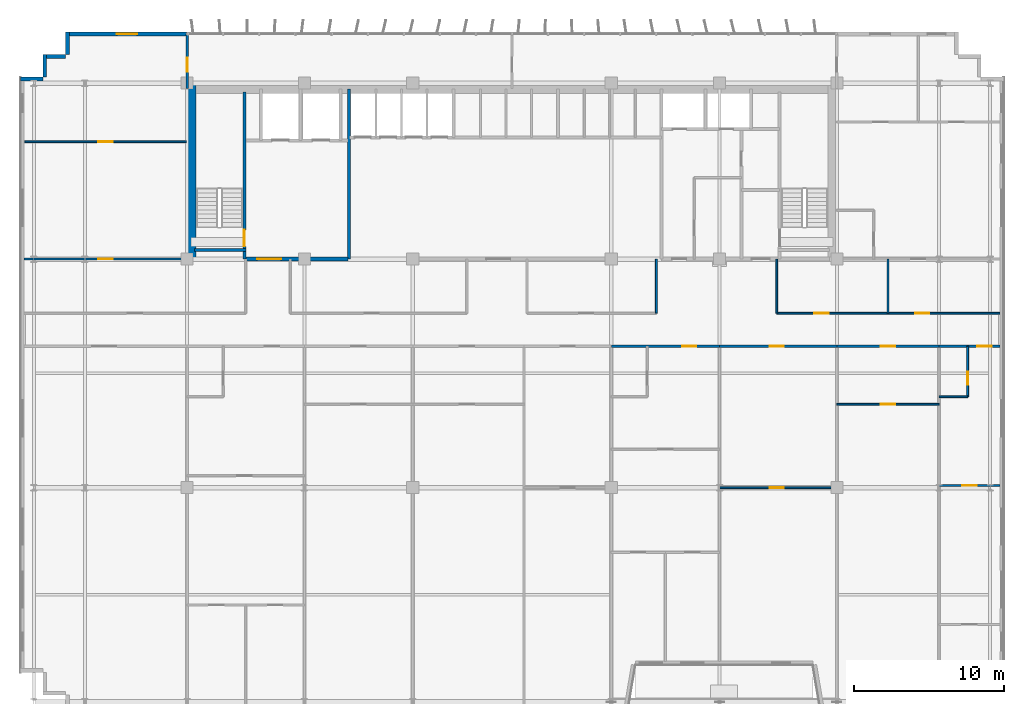
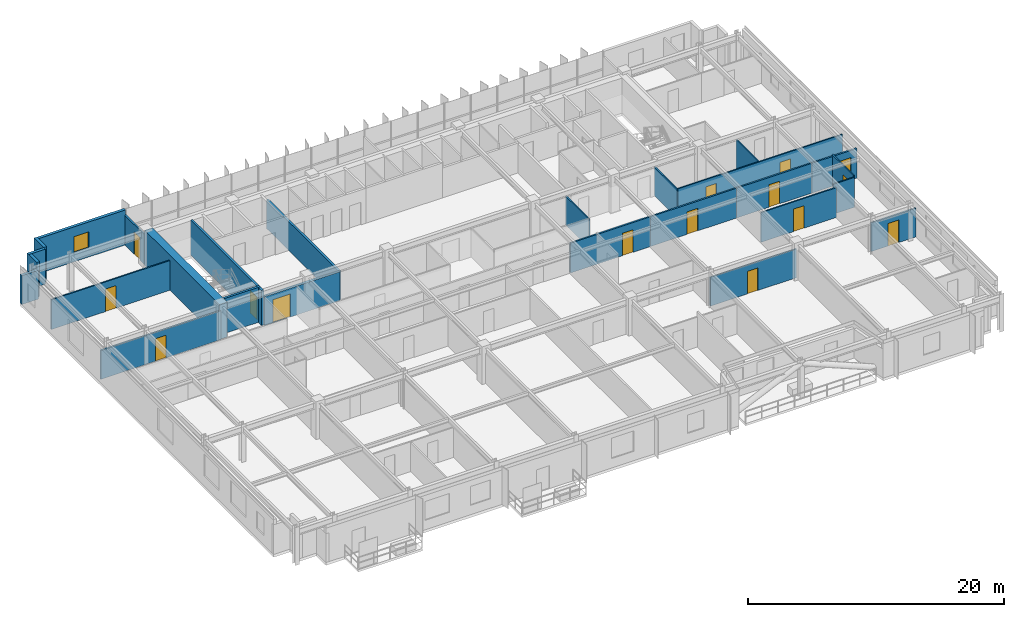
# One storey, part 17 of 22: 26 walls, 15 doors, 1 window, 16 openings.
"""IFC4 building model written with IfcOpenShell, lengths in metres."""

from ifc_helpers import new_model, si_unit, direction, frame, frame_2d, origin, place, context, subcontext, project, spatial, rectangle, extrude, source, transform, mapped, material, layer, layer_set, type_object, element, fill, save


model = new_model("IFC4")

# Units and contexts
model_context = context("Model", 3, precision=1e-05, world=origin(), true_north=direction((0.0, 1.0)))
body_context = subcontext(model_context, "Body", "Model", "MODEL_VIEW")
ifc_project = project(units=[si_unit("LENGTHUNIT", "METRE"), si_unit("AREAUNIT", "SQUARE_METRE"), si_unit("VOLUMEUNIT", "CUBIC_METRE"), si_unit("PLANEANGLEUNIT", "RADIAN"), si_unit("MASSUNIT", "GRAM", prefix="KILO")], contexts=[model_context])

# Site, building, storey
site_placement = place(None, origin())
site = spatial("IfcSite", under=ifc_project, at=site_placement, CompositionType="ELEMENT")
building_placement = place(site_placement, origin())
building = spatial("IfcBuilding", under=site, at=building_placement, Name="Trelvane Seafront Commons", CompositionType="ELEMENT")
storey_placement = place(building_placement, frame((0.0, 0.0, 121.300048828125)))
storey = spatial("IfcBuildingStorey", under=building, at=storey_placement, Name="L31", CompositionType="ELEMENT", Elevation=121.300048828125)

# Wall, opening, window
ifc_material_1 = material(Name="Precast concrete C40/50", Category="concrete")
ifc_layer_1 = layer(ifc_material_1, 0.260009765625, Name="ARCH-WALL-EXT260")
ifc_layer_set_1 = layer_set([ifc_layer_1], Name="Precast concrete C40/50")
wall_type_1 = type_object("IfcWallType", Name="ARCH-WALL-EXT260", PredefinedType="SOLIDWALL", material=ifc_layer_set_1)
wall_1_placement = place(storey_placement, frame((7.60009765625, 48.3701171875, 0.0), z_axis=(0.0, 0.0, 1.0), x_axis=(1.0, 0.0, 0.0)))
wall_1 = element("IfcWall", 1, at=wall_1_placement, inside=storey, type_object=wall_type_1, Name="EW-L31-NW-0580", PredefinedType="SOLIDWALL", context=body_context, shape_type="SweptSolid", body=[
    extrude(rectangle(XDim=8.0, YDim=0.260009765625, at=frame_2d((4.0, 0.0))), origin(), (0.0, 0.0, 1.0), 3.33984375),
])
opening_1_placement = place(wall_1_placement, frame((3.324951171875, 0.0, 0.89990234375)))
opening_1 = element("IfcOpeningElement", 2, at=opening_1_placement, cuts=wall_1, Name="Opening W09", PredefinedType="OPENING", context=body_context, shape_type="SweptSolid", body=[
    extrude(rectangle(XDim=1.35009765625, YDim=1.5, at=frame_2d((0.675048828125, 0.75))), frame((0.0, 0.139892578125, 0.0), z_axis=(0.0, -1.0, 0.0), x_axis=(1.0, 0.0, 0.0)), (0.0, 0.0, 1.0), 0.280029296875),
])
ifc_material_2 = material(Name="Low-E coastal double glazing", Category="glass")
window_type = type_object("IfcWindowType", Name="ARCH-WIN-W09", PartitioningType="SINGLE_PANEL", PredefinedType="WINDOW", material=ifc_material_2)
shared_shape_1 = source(origin(), body_context, "Body", "SweptSolid", [
    extrude(rectangle(XDim=1.35009765625, YDim=1.5, at=frame_2d((0.675048828125, 0.75))), frame((0.0, 0.030029296875, 0.0), z_axis=(0.0, -1.0, 0.0), x_axis=(1.0, 0.0, 0.0)), (0.0, 0.0, 1.0), 0.06005859375),
])
window_placement = place(opening_1_placement, origin())
window = element("IfcWindow", 3, at=window_placement, inside=storey, type_object=window_type, Name="WIN-L31-00695", OverallHeight=1.5, OverallWidth=1.35009765625, PartitioningType="SINGLE_PANEL", PredefinedType="WINDOW", context=body_context, shape_type="MappedRepresentation", body=[
    mapped(shared_shape_1, transform((0.0, 0.0, 0.0), x_axis=(1.0, 0.0, 0.0), y_axis=(0.0, 1.0, 0.0), z_axis=(0.0, 0.0, 1.0), scale=1.0)),
])
fill(opening_1, window)

# Walls
wall_2_placement = place(storey_placement, frame((4.5, 45.3701171875, 0.0), z_axis=(0.0, 0.0, 1.0), x_axis=(1.0, 0.0, 0.0)))
element("IfcWall", 4, at=wall_2_placement, inside=storey, type_object=wall_type_1, Name="EW-L31-00586", PredefinedType="SOLIDWALL", context=body_context, shape_type="SweptSolid", body=[
    extrude(rectangle(XDim=1.5, YDim=0.260009765625, at=frame_2d((0.75, 0.0))), origin(), (0.0, 0.0, 1.0), 2.751953125),
])
for number, where, z_axis, x_axis, name in (
    (5, (6.1298828125, 45.5, 0.0), (0.0, 0.0, 1.0), (0.0, 1.0, 0.0), "EW-L31-00587"),
    (6, (6.0, 46.8701171875, 0.0), (0.0, 0.0, 1.0), (1.0, 0.0, 0.0), "EW-L31-00588"),
    (7, (7.6298828125, 47.0, 0.0), (0.0, 0.0, 1.0), (0.0, 1.0, 0.0), "EW-L31-00589"),
):
    element("IfcWall", number, at=place(storey_placement, frame(where, z_axis=z_axis, x_axis=x_axis)), inside=storey, type_object=wall_type_1, Name=name, PredefinedType="SOLIDWALL", context=body_context, shape_type="SweptSolid", body=[
        extrude(rectangle(XDim=1.5, YDim=0.260009765625, at=frame_2d((0.75, 0.0))), origin(), (0.0, 0.0, 1.0), 3.33984375),
    ])

# Wall, opening, door
ifc_material_3 = material(Name="Concrete C40/50", Category="concrete")
ifc_layer_2 = layer(ifc_material_3, 0.25, Name="ARCH-WALL-FIRE250")
ifc_layer_set_2 = layer_set([ifc_layer_2], Name="Concrete C40/50")
wall_type_2 = type_object("IfcWallType", Name="ARCH-WALL-FIRE250", PredefinedType="PARTITIONING", material=ifc_layer_set_2)
wall_3_placement = place(storey_placement, frame((19.5, 33.39990234375, 0.0), z_axis=(0.0, 0.0, 1.0), x_axis=(1.0, 0.0, 0.0)))
wall_3 = element("IfcWall", 8, at=wall_3_placement, inside=storey, type_object=wall_type_2, Name="W-L31-CS-FFL-013", PredefinedType="PARTITIONING", context=body_context, shape_type="SweptSolid", body=[
    extrude(rectangle(XDim=6.800048828125, YDim=0.25, at=frame_2d((3.39990234375, 0.0))), origin(), (0.0, 0.0, 1.0), 2.751953125),
])
opening_2_placement = place(wall_3_placement, frame((0.75, 0.0, 0.0)))
opening_2 = element("IfcOpeningElement", 9, at=opening_2_placement, cuts=wall_3, Name="Opening FD-L31-05", PredefinedType="OPENING", context=body_context, shape_type="SweptSolid", body=[
    extrude(rectangle(XDim=1.60009765625, YDim=2.199951171875, at=frame_2d((0.800048828125, 1.10009765625))), frame((0.0, 0.135009765625, 0.0), z_axis=(0.0, -1.0, 0.0), x_axis=(1.0, 0.0, 0.0)), (0.0, 0.0, 1.0), 0.27001953125),
])
ifc_material_4 = material(Name="Powder-coated aluminium frame", Category="aluminium")
door_type_1 = type_object("IfcDoorType", Name="ARCH-DR-FD60-1600", OperationType="DOUBLE_DOOR_SINGLE_SWING", PredefinedType="DOOR", material=ifc_material_4)
shared_shape_2 = source(origin(), body_context, "Body", "SweptSolid", [
    extrude(rectangle(XDim=1.60009765625, YDim=2.199951171875, at=frame_2d((0.800048828125, 1.10009765625))), frame((0.0, 0.02490234375, 0.0), z_axis=(0.0, -1.0, 0.0), x_axis=(1.0, 0.0, 0.0)), (0.0, 0.0, 1.0), 0.050048828125),
])
door_1_placement = place(opening_2_placement, origin())
door_1 = element("IfcDoor", 10, at=door_1_placement, inside=storey, type_object=door_type_1, Name="L31 Firefighting Lift Lobby Double Fire Door", OperationType="DOUBLE_DOOR_SINGLE_SWING", OverallHeight=2.199951171875, OverallWidth=1.60009765625, PredefinedType="DOOR", context=body_context, shape_type="MappedRepresentation", body=[
    mapped(shared_shape_2, transform((0.0, 0.0, 0.0), x_axis=(1.0, 0.0, 0.0), y_axis=(0.0, 1.0, 0.0), z_axis=(0.0, 0.0, 1.0), scale=1.0)),
])
fill(opening_2, door_1)

# Wall, openings, doors
ifc_material_5 = material(Name="Gypsum Drywall Acoustic Partition")
ifc_layer_3 = layer(ifc_material_5, 0.1201171875, Name="ARCH-WALL-PART120")
ifc_layer_set_3 = layer_set([ifc_layer_3], Name="Gypsum Drywall Acoustic Partition")
wall_type_3 = type_object("IfcWallType", Name="ARCH-WALL-PART120", PredefinedType="PARTITIONING", material=ifc_layer_set_3)
wall_4_placement = place(storey_placement, frame((54.800048828125, 29.800048828125, 0.0), z_axis=(0.0, 0.0, 1.0), x_axis=(1.0, 0.0, 0.0)))
wall_4 = element("IfcWall", 11, at=wall_4_placement, inside=storey, type_object=wall_type_3, Name="W-L31-CORR-N-E-041", PredefinedType="PARTITIONING", context=body_context, shape_type="SweptSolid", body=[
    extrude(rectangle(XDim=14.849853515625, YDim=0.1201171875, at=frame_2d((7.4248046875, 0.0))), origin(), (0.0, 0.0, 1.0), 2.83984375),
])
opening_3_placement = place(wall_4_placement, frame((2.5, 0.0, 0.0)))
opening_3 = element("IfcOpeningElement", 12, at=opening_3_placement, cuts=wall_4, Name="Opening D-L31-20", PredefinedType="OPENING", context=body_context, shape_type="SweptSolid", body=[
    extrude(rectangle(XDim=0.949951171875, YDim=2.14990234375, at=frame_2d((0.47509765625, 1.074951171875))), frame((0.0, 0.070068359375, 0.0), z_axis=(0.0, -1.0, 0.0), x_axis=(1.0, 0.0, 0.0)), (0.0, 0.0, 1.0), 0.14013671875),
])
opening_4_placement = place(wall_4_placement, frame((9.199951171875, 0.0, 0.0)))
opening_4 = element("IfcOpeningElement", 13, at=opening_4_placement, cuts=wall_4, Name="Opening D-L31-21", PredefinedType="OPENING", context=body_context, shape_type="SweptSolid", body=[
    extrude(rectangle(XDim=0.949951171875, YDim=2.14990234375, at=frame_2d((0.47509765625, 1.074951171875))), frame((0.0, 0.070068359375, 0.0), z_axis=(0.0, -1.0, 0.0), x_axis=(1.0, 0.0, 0.0)), (0.0, 0.0, 1.0), 0.14013671875),
])
ifc_material_6 = material(Name="Acoustic timber door leaf", Category="wood")
door_type_2 = type_object("IfcDoorType", Name="ARCH-DR-INT950", OperationType="NOTDEFINED", PredefinedType="DOOR", material=ifc_material_6)
shared_shape_3 = source(origin(), body_context, "Body", "SweptSolid", [
    extrude(rectangle(XDim=0.949951171875, YDim=2.14990234375, at=frame_2d((0.47509765625, 1.074951171875))), frame((0.0, 0.02490234375, 0.0), z_axis=(0.0, -1.0, 0.0), x_axis=(1.0, 0.0, 0.0)), (0.0, 0.0, 1.0), 0.050048828125),
])
door_2_placement = place(opening_3_placement, origin())
door_2 = element("IfcDoor", 14, at=door_2_placement, inside=storey, type_object=door_type_2, Name="L31 Door 20", OperationType="SINGLE_SWING_RIGHT", OverallHeight=2.14990234375, OverallWidth=0.949951171875, PredefinedType="DOOR", context=body_context, shape_type="MappedRepresentation", body=[
    mapped(shared_shape_3, transform((0.0, 0.0, 0.0), x_axis=(1.0, 0.0, 0.0), y_axis=(0.0, 1.0, 0.0), z_axis=(0.0, 0.0, 1.0), scale=1.0)),
])
fill(opening_3, door_2)
door_3_placement = place(opening_4_placement, origin())
door_3 = element("IfcDoor", 15, at=door_3_placement, inside=storey, type_object=door_type_2, Name="L31 Door 21", OperationType="SINGLE_SWING_LEFT", OverallHeight=2.14990234375, OverallWidth=0.949951171875, PredefinedType="DOOR", context=body_context, shape_type="MappedRepresentation", body=[
    mapped(shared_shape_3, transform((0.0, 0.0, 0.0), x_axis=(1.0, 0.0, 0.0), y_axis=(0.0, 1.0, 0.0), z_axis=(0.0, 0.0, 1.0), scale=1.0)),
])
fill(opening_4, door_3)

# Walls
for number, where, z_axis, x_axis, name in (
    (16, (62.199951171875, 29.800048828125, 0.0), (0.0, 0.0, 1.0), (0.0, 1.0, 0.0), "W-L31-N-LAUN-DV-042"),
    (17, (46.800048828125, 29.800048828125, 0.0), (0.0, 0.0, 1.0), (0.0, 1.0, 0.0), "W-L31-N-SPUR-E1-047"),
    (18, (54.800048828125, 29.800048828125, 0.0), (0.0, 0.0, 1.0), (0.0, 1.0, 0.0), "W-L31-N-SPUR-E2-048"),
):
    element("IfcWall", number, at=place(storey_placement, frame(where, z_axis=z_axis, x_axis=x_axis)), inside=storey, type_object=wall_type_3, Name=name, PredefinedType="PARTITIONING", context=body_context, shape_type="SweptSolid", body=[
        extrude(rectangle(XDim=3.599853515625, YDim=0.1201171875, at=frame_2d((1.7998046875, 0.0))), origin(), (0.0, 0.0, 1.0), 2.751953125),
    ])

# Wall, opening, door
wall_5_placement = place(storey_placement, frame((4.800048828125, 41.199951171875, 0.0), z_axis=(0.0, 0.0, 1.0), x_axis=(1.0, 0.0, 0.0)))
wall_5 = element("IfcWall", 19, at=wall_5_placement, inside=storey, type_object=wall_type_3, Name="W-L31-NW-LGDV-049", PredefinedType="PARTITIONING", context=body_context, shape_type="SweptSolid", body=[
    extrude(rectangle(XDim=10.75, YDim=0.1201171875, at=frame_2d((5.375, 0.0))), origin(), (0.0, 0.0, 1.0), 2.83984375),
])
opening_5_placement = place(wall_5_placement, frame((4.89990234375, 0.0, 0.0)))
opening_5 = element("IfcOpeningElement", 20, at=opening_5_placement, cuts=wall_5, Name="Opening D-L31-22", PredefinedType="OPENING", context=body_context, shape_type="SweptSolid", body=[
    extrude(rectangle(XDim=0.949951171875, YDim=2.14990234375, at=frame_2d((0.47509765625, 1.074951171875))), frame((0.0, 0.070068359375, 0.0), z_axis=(0.0, -1.0, 0.0), x_axis=(1.0, 0.0, 0.0)), (0.0, 0.0, 1.0), 0.14013671875),
])
door_4_placement = place(opening_5_placement, origin())
door_4 = element("IfcDoor", 21, at=door_4_placement, inside=storey, type_object=door_type_2, Name="L31 Door 22", OperationType="SINGLE_SWING_RIGHT", OverallHeight=2.14990234375, OverallWidth=0.949951171875, PredefinedType="DOOR", context=body_context, shape_type="MappedRepresentation", body=[
    mapped(shared_shape_3, transform((0.0, 0.0, 0.0), x_axis=(1.0, 0.0, 0.0), y_axis=(0.0, 1.0, 0.0), z_axis=(0.0, 0.0, 1.0), scale=1.0)),
])
fill(opening_5, door_4)

wall_6_placement = place(storey_placement, frame((51.0, 18.199951171875, 0.0), z_axis=(0.0, 0.0, 1.0), x_axis=(1.0, 0.0, 0.0)))
wall_6 = element("IfcWall", 22, at=wall_6_placement, inside=storey, type_object=wall_type_3, Name="W-L31-U7-DIV-090", PredefinedType="PARTITIONING", context=body_context, shape_type="SweptSolid", body=[
    extrude(rectangle(XDim=7.800048828125, YDim=0.1201171875, at=frame_2d((3.89990234375, 0.0))), origin(), (0.0, 0.0, 1.0), 2.751953125),
])
opening_6_placement = place(wall_6_placement, frame((3.3330078125, 0.0, 0.0)))
opening_6 = element("IfcOpeningElement", 23, at=opening_6_placement, cuts=wall_6, Name="Opening D-L31-49", PredefinedType="OPENING", context=body_context, shape_type="SweptSolid", body=[
    extrude(rectangle(XDim=0.949951171875, YDim=2.14990234375, at=frame_2d((0.47509765625, 1.074951171875))), frame((0.0, 0.070068359375, 0.0), z_axis=(0.0, -1.0, 0.0), x_axis=(1.0, 0.0, 0.0)), (0.0, 0.0, 1.0), 0.14013671875),
])
door_5_placement = place(opening_6_placement, origin())
door_5 = element("IfcDoor", 24, at=door_5_placement, inside=storey, type_object=door_type_2, Name="L31 Door 49", OperationType="SINGLE_SWING_LEFT", OverallHeight=2.14990234375, OverallWidth=0.949951171875, PredefinedType="DOOR", context=body_context, shape_type="MappedRepresentation", body=[
    mapped(shared_shape_3, transform((0.0, 0.0, 0.0), x_axis=(1.0, 0.0, 0.0), y_axis=(0.0, 1.0, 0.0), z_axis=(0.0, 0.0, 1.0), scale=1.0)),
])
fill(opening_6, door_5)

wall_7_placement = place(storey_placement, frame((58.800048828125, 23.75, 0.0), z_axis=(0.0, 0.0, 1.0), x_axis=(1.0, 0.0, 0.0)))
wall_7 = element("IfcWall", 25, at=wall_7_placement, inside=storey, type_object=wall_type_3, Name="W-L31-U8-DIV-092", PredefinedType="PARTITIONING", context=body_context, shape_type="SweptSolid", body=[
    extrude(rectangle(XDim=6.800048828125, YDim=0.1201171875, at=frame_2d((3.39990234375, 0.0))), origin(), (0.0, 0.0, 1.0), 2.83984375),
])
opening_7_placement = place(wall_7_placement, frame((2.925048828125, 0.0, 0.0)))
opening_7 = element("IfcOpeningElement", 26, at=opening_7_placement, cuts=wall_7, Name="Opening D-L31-51", PredefinedType="OPENING", context=body_context, shape_type="SweptSolid", body=[
    extrude(rectangle(XDim=0.949951171875, YDim=2.14990234375, at=frame_2d((0.47509765625, 1.074951171875))), frame((0.0, 0.070068359375, 0.0), z_axis=(0.0, -1.0, 0.0), x_axis=(1.0, 0.0, 0.0)), (0.0, 0.0, 1.0), 0.14013671875),
])
door_6_placement = place(opening_7_placement, origin())
door_6 = element("IfcDoor", 27, at=door_6_placement, inside=storey, type_object=door_type_2, Name="L31 Door 51", OperationType="SINGLE_SWING_LEFT", OverallHeight=2.14990234375, OverallWidth=0.949951171875, PredefinedType="DOOR", context=body_context, shape_type="MappedRepresentation", body=[
    mapped(shared_shape_3, transform((0.0, 0.0, 0.0), x_axis=(1.0, 0.0, 0.0), y_axis=(0.0, 1.0, 0.0), z_axis=(0.0, 0.0, 1.0), scale=1.0)),
])
fill(opening_7, door_6)

wall_8_placement = place(storey_placement, frame((65.60009765625, 18.35009765625, 0.0), z_axis=(0.0, 0.0, 1.0), x_axis=(1.0, 0.0, 0.0)))
wall_8 = element("IfcWall", 28, at=wall_8_placement, inside=storey, type_object=wall_type_3, Name="W-L31-U9-KL-093", PredefinedType="PARTITIONING", context=body_context, shape_type="SweptSolid", body=[
    extrude(rectangle(XDim=4.039794921875, YDim=0.1201171875, at=frame_2d((2.02001953125, 0.0))), origin(), (0.0, 0.0, 1.0), 2.751953125),
])
opening_8_placement = place(wall_8_placement, frame((1.544921875, 0.0, 0.0)))
opening_8 = element("IfcOpeningElement", 29, at=opening_8_placement, cuts=wall_8, Name="Opening D-L31-52", PredefinedType="OPENING", context=body_context, shape_type="SweptSolid", body=[
    extrude(rectangle(XDim=0.949951171875, YDim=2.14990234375, at=frame_2d((0.47509765625, 1.074951171875))), frame((0.0, 0.070068359375, 0.0), z_axis=(0.0, -1.0, 0.0), x_axis=(1.0, 0.0, 0.0)), (0.0, 0.0, 1.0), 0.14013671875),
])
door_7_placement = place(opening_8_placement, origin())
door_7 = element("IfcDoor", 30, at=door_7_placement, inside=storey, type_object=door_type_2, Name="L31 Door 52", OperationType="SINGLE_SWING_RIGHT", OverallHeight=2.14990234375, OverallWidth=0.949951171875, PredefinedType="DOOR", context=body_context, shape_type="MappedRepresentation", body=[
    mapped(shared_shape_3, transform((0.0, 0.0, 0.0), x_axis=(1.0, 0.0, 0.0), y_axis=(0.0, 1.0, 0.0), z_axis=(0.0, 0.0, 1.0), scale=1.0)),
])
fill(opening_8, door_7)

wall_9_placement = place(storey_placement, frame((67.5, 24.25, 0.0), z_axis=(0.0, 0.0, 1.0), x_axis=(0.0, 1.0, 0.0)))
wall_9 = element("IfcWall", 31, at=wall_9_placement, inside=storey, type_object=wall_type_3, Name="W-L31-U9-BE-094", PredefinedType="PARTITIONING", context=body_context, shape_type="SweptSolid", body=[
    extrude(rectangle(XDim=3.35009765625, YDim=0.1201171875, at=frame_2d((1.675048828125, 0.0))), origin(), (0.0, 0.0, 1.0), 2.989990234375),
])
opening_9_placement = place(wall_9_placement, frame((0.800048828125, 0.0, 0.0)))
opening_9 = element("IfcOpeningElement", 32, at=opening_9_placement, cuts=wall_9, Name="Opening D-L31-53", PredefinedType="OPENING", context=body_context, shape_type="SweptSolid", body=[
    extrude(rectangle(XDim=0.85009765625, YDim=2.10009765625, at=frame_2d((0.425048828125, 1.050048828125))), frame((0.0, 0.070068359375, 0.0), z_axis=(0.0, -1.0, 0.0), x_axis=(1.0, 0.0, 0.0)), (0.0, 0.0, 1.0), 0.14013671875),
])
door_type_3 = type_object("IfcDoorType", Name="ARCH-DR-INT850", OperationType="NOTDEFINED", PredefinedType="DOOR", material=ifc_material_6)
shared_shape_4 = source(origin(), body_context, "Body", "SweptSolid", [
    extrude(rectangle(XDim=0.85009765625, YDim=2.10009765625, at=frame_2d((0.425048828125, 1.050048828125))), frame((0.0, 0.02490234375, 0.0), z_axis=(0.0, -1.0, 0.0), x_axis=(1.0, 0.0, 0.0)), (0.0, 0.0, 1.0), 0.050048828125),
])
door_8_placement = place(opening_9_placement, origin())
door_8 = element("IfcDoor", 33, at=door_8_placement, inside=storey, type_object=door_type_3, Name="L31 Door 53", OperationType="SINGLE_SWING_LEFT", OverallHeight=2.10009765625, OverallWidth=0.85009765625, PredefinedType="DOOR", context=body_context, shape_type="MappedRepresentation", body=[
    mapped(shared_shape_4, transform((0.0, 0.0, 0.0), x_axis=(1.0, 0.0, 0.0), y_axis=(0.0, 1.0, 0.0), z_axis=(0.0, 0.0, 1.0), scale=1.0)),
])
fill(opening_9, door_8)

# Wall
wall_10_placement = place(storey_placement, frame((65.60009765625, 24.25, 0.0), z_axis=(0.0, 0.0, 1.0), x_axis=(1.0, 0.0, 0.0)))
element("IfcWall", 34, at=wall_10_placement, inside=storey, type_object=wall_type_3, Name="W-L31-U9-BS-095", PredefinedType="PARTITIONING", context=body_context, shape_type="SweptSolid", body=[
    extrude(rectangle(XDim=1.89990234375, YDim=0.1201171875, at=frame_2d((0.949951171875, 0.0))), origin(), (0.0, 0.0, 1.0), 2.83984375),
])

# Wall, opening, door
ifc_layer_4 = layer(ifc_material_5, 0.14990234375, Name="ARCH-WALL-PART150")
ifc_layer_set_4 = layer_set([ifc_layer_4], Name="Gypsum Drywall Acoustic Partition")
wall_type_4 = type_object("IfcWallType", Name="ARCH-WALL-PART150", PredefinedType="PARTITIONING", material=ifc_layer_set_4)
wall_11_placement = place(storey_placement, frame((4.75, 33.39990234375, 0.0), z_axis=(0.0, 0.0, 1.0), x_axis=(1.0, 0.0, 0.0)))
wall_11 = element("IfcWall", 35, at=wall_11_placement, inside=storey, type_object=wall_type_4, Name="W-L31-NW-ENT-050", PredefinedType="PARTITIONING", context=body_context, shape_type="SweptSolid", body=[
    extrude(rectangle(XDim=10.85009765625, YDim=0.14990234375, at=frame_2d((5.425048828125, 0.0))), origin(), (0.0, 0.0, 1.0), 2.751953125),
])
opening_10_placement = place(wall_11_placement, frame((4.93994140625, 0.0, 0.0)))
opening_10 = element("IfcOpeningElement", 36, at=opening_10_placement, cuts=wall_11, Name="Opening FD-L31-23", PredefinedType="OPENING", context=body_context, shape_type="SweptSolid", body=[
    extrude(rectangle(XDim=0.949951171875, YDim=2.14990234375, at=frame_2d((0.47509765625, 1.074951171875))), frame((0.0, 0.0849609375, 0.0), z_axis=(0.0, -1.0, 0.0), x_axis=(1.0, 0.0, 0.0)), (0.0, 0.0, 1.0), 0.169921875),
])
door_type_4 = type_object("IfcDoorType", Name="ARCH-DR-FD60-950", OperationType="NOTDEFINED", PredefinedType="DOOR", material=ifc_material_4)
door_9_placement = place(opening_10_placement, origin())
door_9 = element("IfcDoor", 37, at=door_9_placement, inside=storey, type_object=door_type_4, Name="L31 NW Suite Entrance Door", OperationType="SINGLE_SWING_LEFT", OverallHeight=2.14990234375, OverallWidth=0.949951171875, PredefinedType="DOOR", context=body_context, shape_type="MappedRepresentation", body=[
    mapped(shared_shape_3, transform((0.0, 0.0, 0.0), x_axis=(1.0, 0.0, 0.0), y_axis=(0.0, 1.0, 0.0), z_axis=(0.0, 0.0, 1.0), scale=1.0)),
])
fill(opening_10, door_9)

wall_12_placement = place(storey_placement, frame((15.60009765625, 44.75, 0.0), z_axis=(0.0, 0.0, 1.0), x_axis=(0.0, 1.0, 0.0)))
wall_12 = element("IfcWall", 38, at=wall_12_placement, inside=storey, type_object=wall_type_4, Name="W-L31-N-LINK-W-058", PredefinedType="PARTITIONING", context=body_context, shape_type="SweptSolid", body=[
    extrude(rectangle(XDim=3.610107421875, YDim=0.14990234375, at=frame_2d((1.80517578125, 0.0))), origin(), (0.0, 0.0, 1.0), 2.83984375),
])
opening_11_placement = place(wall_12_placement, frame((1.10009765625, 0.0, 0.0)))
opening_11 = element("IfcOpeningElement", 39, at=opening_11_placement, cuts=wall_12, Name="Opening FD-L31-29", PredefinedType="OPENING", context=body_context, shape_type="SweptSolid", body=[
    extrude(rectangle(XDim=0.949951171875, YDim=2.14990234375, at=frame_2d((0.47509765625, 1.074951171875))), frame((0.0, 0.0849609375, 0.0), z_axis=(0.0, -1.0, 0.0), x_axis=(1.0, 0.0, 0.0)), (0.0, 0.0, 1.0), 0.169921875),
])
door_10_placement = place(opening_11_placement, origin())
door_10 = element("IfcDoor", 40, at=door_10_placement, inside=storey, type_object=door_type_4, Name="L31 Door 29", OperationType="SINGLE_SWING_LEFT", OverallHeight=2.14990234375, OverallWidth=0.949951171875, PredefinedType="DOOR", context=body_context, shape_type="MappedRepresentation", body=[
    mapped(shared_shape_3, transform((0.0, 0.0, 0.0), x_axis=(1.0, 0.0, 0.0), y_axis=(0.0, 1.0, 0.0), z_axis=(0.0, 0.0, 1.0), scale=1.0)),
])
fill(opening_11, door_10)

wall_13_placement = place(storey_placement, frame((43.800048828125, 27.60009765625, 0.0), z_axis=(0.0, 0.0, 1.0), x_axis=(1.0, 0.0, 0.0)))
wall_13 = element("IfcWall", 41, at=wall_13_placement, inside=storey, type_object=wall_type_4, Name="W-L31-CS-BAY-6-085", PredefinedType="PARTITIONING", context=body_context, shape_type="SweptSolid", body=[
    extrude(rectangle(XDim=7.199951171875, YDim=0.14990234375, at=frame_2d((3.60009765625, 0.0))), origin(), (0.0, 0.0, 1.0), 2.83984375),
])
opening_12_placement = place(wall_13_placement, frame((4.7060546875, 0.0, 0.0)))
opening_12 = element("IfcOpeningElement", 42, at=opening_12_placement, cuts=wall_13, Name="Opening FD-L31-45", PredefinedType="OPENING", context=body_context, shape_type="SweptSolid", body=[
    extrude(rectangle(XDim=0.949951171875, YDim=2.14990234375, at=frame_2d((0.47509765625, 1.074951171875))), frame((0.0, 0.0849609375, 0.0), z_axis=(0.0, -1.0, 0.0), x_axis=(1.0, 0.0, 0.0)), (0.0, 0.0, 1.0), 0.169921875),
])
door_11_placement = place(opening_12_placement, origin())
door_11 = element("IfcDoor", 43, at=door_11_placement, inside=storey, type_object=door_type_4, Name="L31 Unit 06 Entrance Door", OperationType="SINGLE_SWING_LEFT", OverallHeight=2.14990234375, OverallWidth=0.949951171875, PredefinedType="DOOR", context=body_context, shape_type="MappedRepresentation", body=[
    mapped(shared_shape_3, transform((0.0, 0.0, 0.0), x_axis=(1.0, 0.0, 0.0), y_axis=(0.0, 1.0, 0.0), z_axis=(0.0, 0.0, 1.0), scale=1.0)),
])
fill(opening_12, door_11)

wall_14_placement = place(storey_placement, frame((51.0, 27.60009765625, 0.0), z_axis=(0.0, 0.0, 1.0), x_axis=(1.0, 0.0, 0.0)))
wall_14 = element("IfcWall", 44, at=wall_14_placement, inside=storey, type_object=wall_type_4, Name="W-L31-CS-BAY-7-089", PredefinedType="PARTITIONING", context=body_context, shape_type="SweptSolid", body=[
    extrude(rectangle(XDim=7.800048828125, YDim=0.14990234375, at=frame_2d((3.89990234375, 0.0))), origin(), (0.0, 0.0, 1.0), 2.83984375),
])
opening_13_placement = place(wall_14_placement, frame((3.3330078125, 0.0, 0.0)))
opening_13 = element("IfcOpeningElement", 45, at=opening_13_placement, cuts=wall_14, Name="Opening FD-L31-48", PredefinedType="OPENING", context=body_context, shape_type="SweptSolid", body=[
    extrude(rectangle(XDim=0.949951171875, YDim=2.14990234375, at=frame_2d((0.47509765625, 1.074951171875))), frame((0.0, 0.0849609375, 0.0), z_axis=(0.0, -1.0, 0.0), x_axis=(1.0, 0.0, 0.0)), (0.0, 0.0, 1.0), 0.169921875),
])
door_12_placement = place(opening_13_placement, origin())
door_12 = element("IfcDoor", 46, at=door_12_placement, inside=storey, type_object=door_type_4, Name="L31 Bay 07 Entrance Door", OperationType="SINGLE_SWING_RIGHT", OverallHeight=2.14990234375, OverallWidth=0.949951171875, PredefinedType="DOOR", context=body_context, shape_type="MappedRepresentation", body=[
    mapped(shared_shape_3, transform((0.0, 0.0, 0.0), x_axis=(1.0, 0.0, 0.0), y_axis=(0.0, 1.0, 0.0), z_axis=(0.0, 0.0, 1.0), scale=1.0)),
])
fill(opening_13, door_12)

wall_15_placement = place(storey_placement, frame((58.800048828125, 27.60009765625, 0.0), z_axis=(0.0, 0.0, 1.0), x_axis=(1.0, 0.0, 0.0)))
wall_15 = element("IfcWall", 47, at=wall_15_placement, inside=storey, type_object=wall_type_4, Name="W-L31-CS-BAY-8-091", PredefinedType="PARTITIONING", context=body_context, shape_type="SweptSolid", body=[
    extrude(rectangle(XDim=6.800048828125, YDim=0.14990234375, at=frame_2d((3.39990234375, 0.0))), origin(), (0.0, 0.0, 1.0), 2.83984375),
])
opening_14_placement = place(wall_15_placement, frame((2.925048828125, 0.0, 0.0)))
opening_14 = element("IfcOpeningElement", 48, at=opening_14_placement, cuts=wall_15, Name="Opening FD-L31-50", PredefinedType="OPENING", context=body_context, shape_type="SweptSolid", body=[
    extrude(rectangle(XDim=0.949951171875, YDim=2.14990234375, at=frame_2d((0.47509765625, 1.074951171875))), frame((0.0, 0.0849609375, 0.0), z_axis=(0.0, -1.0, 0.0), x_axis=(1.0, 0.0, 0.0)), (0.0, 0.0, 1.0), 0.169921875),
])
door_13_placement = place(opening_14_placement, origin())
door_13 = element("IfcDoor", 49, at=door_13_placement, inside=storey, type_object=door_type_4, Name="L31 Bay 08 Entrance Door", OperationType="SINGLE_SWING_RIGHT", OverallHeight=2.14990234375, OverallWidth=0.949951171875, PredefinedType="DOOR", context=body_context, shape_type="MappedRepresentation", body=[
    mapped(shared_shape_3, transform((0.0, 0.0, 0.0), x_axis=(1.0, 0.0, 0.0), y_axis=(0.0, 1.0, 0.0), z_axis=(0.0, 0.0, 1.0), scale=1.0)),
])
fill(opening_14, door_13)

wall_16_placement = place(storey_placement, frame((65.60009765625, 27.60009765625, 0.0), z_axis=(0.0, 0.0, 1.0), x_axis=(1.0, 0.0, 0.0)))
wall_16 = element("IfcWall", 50, at=wall_16_placement, inside=storey, type_object=wall_type_4, Name="W-L31-CS-BAY-9-096", PredefinedType="PARTITIONING", context=body_context, shape_type="SweptSolid", body=[
    extrude(rectangle(XDim=4.054931640625, YDim=0.14990234375, at=frame_2d((2.02734375, 0.0))), origin(), (0.0, 0.0, 1.0), 2.83984375),
])
opening_15_placement = place(wall_16_placement, frame((2.5439453125, 0.0, 0.0)))
opening_15 = element("IfcOpeningElement", 51, at=opening_15_placement, cuts=wall_16, Name="Opening FD-L31-54", PredefinedType="OPENING", context=body_context, shape_type="SweptSolid", body=[
    extrude(rectangle(XDim=0.949951171875, YDim=2.14990234375, at=frame_2d((0.47509765625, 1.074951171875))), frame((0.0, 0.0849609375, 0.0), z_axis=(0.0, -1.0, 0.0), x_axis=(1.0, 0.0, 0.0)), (0.0, 0.0, 1.0), 0.169921875),
])
door_14_placement = place(opening_15_placement, origin())
door_14 = element("IfcDoor", 52, at=door_14_placement, inside=storey, type_object=door_type_4, Name="L31 Unit 09 Entrance Door", OperationType="SINGLE_SWING_RIGHT", OverallHeight=2.14990234375, OverallWidth=0.949951171875, PredefinedType="DOOR", context=body_context, shape_type="MappedRepresentation", body=[
    mapped(shared_shape_3, transform((0.0, 0.0, 0.0), x_axis=(1.0, 0.0, 0.0), y_axis=(0.0, 1.0, 0.0), z_axis=(0.0, 0.0, 1.0), scale=1.0)),
])
fill(opening_15, door_14)

# Walls
ifc_layer_5 = layer(ifc_material_3, 0.199951171875, Name="ARCH-WALL-SHAFT200")
ifc_layer_set_5 = layer_set([ifc_layer_5], Name="Concrete C40/50")
wall_type_5 = type_object("IfcWallType", Name="ARCH-WALL-SHAFT200", PredefinedType="SOLIDWALL", material=ifc_layer_set_5)
wall_17_placement = place(storey_placement, frame((26.35009765625, 33.39990234375, 0.0), z_axis=(0.0, 0.0, 1.0), x_axis=(0.0, 1.0, 0.0)))
element("IfcWall", 53, at=wall_17_placement, inside=storey, type_object=wall_type_5, Name="W-L31-FFL-EAST-012", PredefinedType="SOLIDWALL", context=body_context, shape_type="SweptSolid", body=[
    extrude(rectangle(XDim=11.300048828125, YDim=0.199951171875, at=frame_2d((5.64990234375, 0.0))), origin(), (0.0, 0.0, 1.0), 2.751953125),
])
ifc_material_7 = material(Name="Concrete C60/75", Category="concrete")
ifc_layer_6 = layer(ifc_material_7, 0.699951171875, Name="STR-WALL-CORE700")
ifc_layer_set_6 = layer_set([ifc_layer_6], Name="Concrete C60/75")
wall_type_6 = type_object("IfcWallType", Name="STR-WALL-CORE700", PredefinedType="SHEAR", material=ifc_layer_set_6)
wall_18_placement = place(storey_placement, frame((15.85009765625, 33.39990234375, 0.0), z_axis=(0.0, 0.0, 1.0), x_axis=(0.0, 1.0, 0.0)))
element("IfcWall", 54, at=wall_18_placement, inside=storey, type_object=wall_type_6, Name="W-L31-CW-END-002", PredefinedType="SHEAR", context=body_context, shape_type="SweptSolid", body=[
    extrude(rectangle(XDim=11.7001953125, YDim=0.699951171875, at=frame_2d((5.85009765625, 0.0))), origin(), (0.0, 0.0, 1.0), 3.33984375),
])
ifc_material_8 = material(Name="Concrete C50/60", Category="concrete")
ifc_layer_7 = layer(ifc_material_8, 0.199951171875, Name="STR-WALL-STAIR200")
ifc_layer_set_7 = layer_set([ifc_layer_7], Name="Concrete C50/60")
wall_type_7 = type_object("IfcWallType", Name="STR-WALL-STAIR200", PredefinedType="SHEAR", material=ifc_layer_set_7)
wall_19_placement = place(storey_placement, frame((16.10009765625, 34.0, 0.0), z_axis=(0.0, 0.0, 1.0), x_axis=(1.0, 0.0, 0.0)))
element("IfcWall", 55, at=wall_19_placement, inside=storey, type_object=wall_type_7, Name="W-L31-ST1-S-004", PredefinedType="SHEAR", context=body_context, shape_type="SweptSolid", body=[
    extrude(rectangle(XDim=3.39990234375, YDim=0.199951171875, at=frame_2d((1.699951171875, 0.0))), origin(), (0.0, 0.0, 1.0), 3.33984375),
])

# Wall, opening, door
wall_20_placement = place(storey_placement, frame((19.39990234375, 33.39990234375, 0.0), z_axis=(0.0, 0.0, 1.0), x_axis=(0.0, 1.0, 0.0)))
wall_20 = element("IfcWall", 56, at=wall_20_placement, inside=storey, type_object=wall_type_7, Name="W-L31-ST1-E-005", PredefinedType="SHEAR", context=body_context, shape_type="SweptSolid", body=[
    extrude(rectangle(XDim=11.10009765625, YDim=0.199951171875, at=frame_2d((5.550048828125, 0.0))), origin(), (0.0, 0.0, 1.0), 3.33984375),
])
opening_16_placement = place(wall_20_placement, frame((0.85009765625, 0.0, 0.0)))
opening_16 = element("IfcOpeningElement", 57, at=opening_16_placement, cuts=wall_20, Name="Opening ST-D1-L31", PredefinedType="OPENING", context=body_context, shape_type="SweptSolid", body=[
    extrude(rectangle(XDim=1.10009765625, YDim=2.14990234375, at=frame_2d((0.550048828125, 1.074951171875))), frame((0.0, 0.10986328125, 0.0), z_axis=(0.0, -1.0, 0.0), x_axis=(1.0, 0.0, 0.0)), (0.0, 0.0, 1.0), 0.219970703125),
])
door_type_5 = type_object("IfcDoorType", Name="ARCH-DR-FD90-1100", OperationType="NOTDEFINED", PredefinedType="DOOR", material=ifc_material_4)
shared_shape_5 = source(origin(), body_context, "Body", "SweptSolid", [
    extrude(rectangle(XDim=1.10009765625, YDim=2.14990234375, at=frame_2d((0.550048828125, 1.074951171875))), frame((0.0, 0.02490234375, 0.0), z_axis=(0.0, -1.0, 0.0), x_axis=(1.0, 0.0, 0.0)), (0.0, 0.0, 1.0), 0.050048828125),
])
door_15_placement = place(opening_16_placement, origin())
door_15 = element("IfcDoor", 58, at=door_15_placement, inside=storey, type_object=door_type_5, Name="L31 Stair ST-1 Lobby Fire Door", OperationType="SINGLE_SWING_LEFT", OverallHeight=2.14990234375, OverallWidth=1.10009765625, PredefinedType="DOOR", context=body_context, shape_type="MappedRepresentation", body=[
    mapped(shared_shape_5, transform((0.0, 0.0, 0.0), x_axis=(1.0, 0.0, 0.0), y_axis=(0.0, 1.0, 0.0), z_axis=(0.0, 0.0, 1.0), scale=1.0)),
])
fill(opening_16, door_15)

save(model, "model.ifc")
